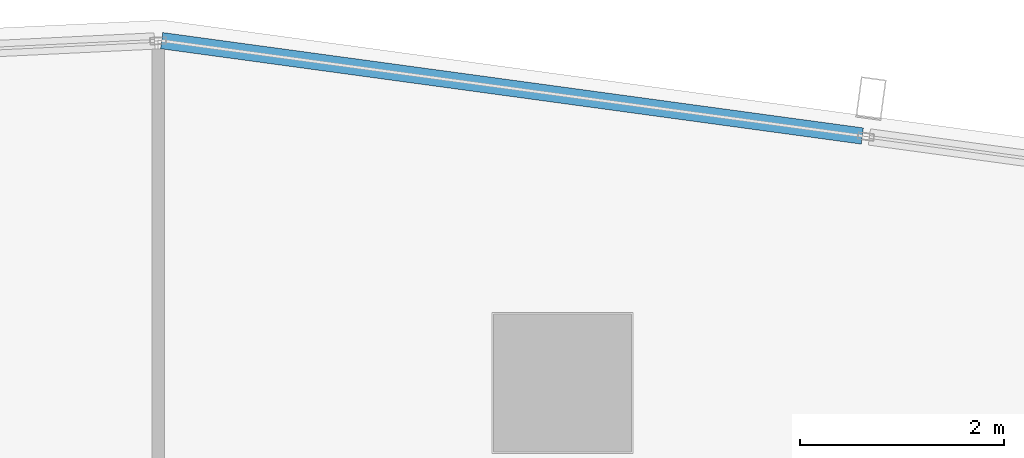
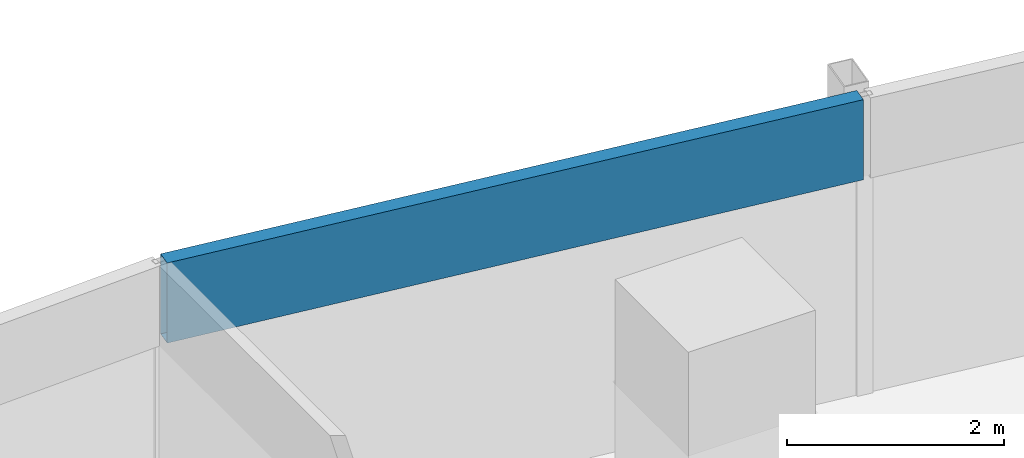
# One storey, part 22 of 39: 1 member, 1 element without a shape of its own.
"""IFC4 building model written with IfcOpenShell, lengths in metres."""

from ifc_helpers import new_model, si_unit, direction, frame, origin, origin_2d, place, context, subcontext, project, spatial, hollow_rectangle, extrude, material, material_profile, profile_set, type_object, element, aggregate, save


model = new_model("IFC4")

# Units and contexts
model_context = context("Model", 3, precision=1e-05, world=origin(), true_north=direction((0.0, 1.0)))
body_context = subcontext(model_context, "Body", "Model", "MODEL_VIEW")
ifc_project = project(units=[si_unit("LENGTHUNIT", "METRE"), si_unit("AREAUNIT", "SQUARE_METRE"), si_unit("VOLUMEUNIT", "CUBIC_METRE"), si_unit("PLANEANGLEUNIT", "RADIAN"), si_unit("MASSUNIT", "GRAM", prefix="KILO")], contexts=[model_context])

# Site, building, storey
site_placement = place(None, origin())
site = spatial("IfcSite", under=ifc_project, at=site_placement, CompositionType="ELEMENT")
building_placement = place(site_placement, origin())
building = spatial("IfcBuilding", under=site, at=building_placement, Name="Rekha Terrace Tower", CompositionType="ELEMENT")
storey_placement = place(building_placement, frame((0.0, 0.0, 217.699951171875)))
storey = spatial("IfcBuildingStorey", under=building, at=storey_placement, Name="L55", CompositionType="ELEMENT", Elevation=217.699951171875)

# Curtain wall, member
ifc_material_1 = material(Name="Aluminium framing", Category="aluminium")
curtain_wall_type = type_object("IfcCurtainWallType", Name="CW3 north unitised glazing", PredefinedType="USERDEFINED", material=ifc_material_1)
curtain_wall_placement = place(storey_placement, origin())
curtain_wall = element("IfcCurtainWall", 1, at=curtain_wall_placement, inside=storey, type_object=curtain_wall_type, Name="CW3 unitised curtain wall", ObjectType="UNITISED CURTAIN WALL", PredefinedType="USERDEFINED")
ifc_material_2 = material(Name="Insulated aluminium spandrel box", Category="aluminium")
ifc_material_profile = material_profile(ifc_material_2, hollow_rectangle(XDim=0.159912109375, YDim=0.89990234375, WallThickness=0.0029296875, at=origin_2d()), Name="AL SPANDREL BOX 160x900")
ifc_profile_set = profile_set([ifc_material_profile], Name="Insulated aluminium spandrel box")
member_type = type_object("IfcMemberType", Name="CW3 spandrel transom 160 x 900", PredefinedType="USERDEFINED", material=ifc_profile_set)
member_placement = place(storey_placement, frame((53.334716796875, 61.21630859375, 3.050048828125), z_axis=(-0.990863635349, 0.134867550367, 0.0), x_axis=(-0.134867550367, -0.990863635349, 0.0)))
member = element("IfcMember", 2, at=member_placement, type_object=member_type, Name="CW3 spandrel transom 2", ObjectType="TRANSOM", PredefinedType="USERDEFINED", context=body_context, shape_type="SweptSolid", body=[
    extrude(hollow_rectangle(XDim=0.159912109375, YDim=0.89990234375, WallThickness=0.0029296875, at=origin_2d()), origin(), (0.0, 0.0, 1.0), 6.918701171875),
])
aggregate(curtain_wall, [member])

save(model, "model.ifc")
